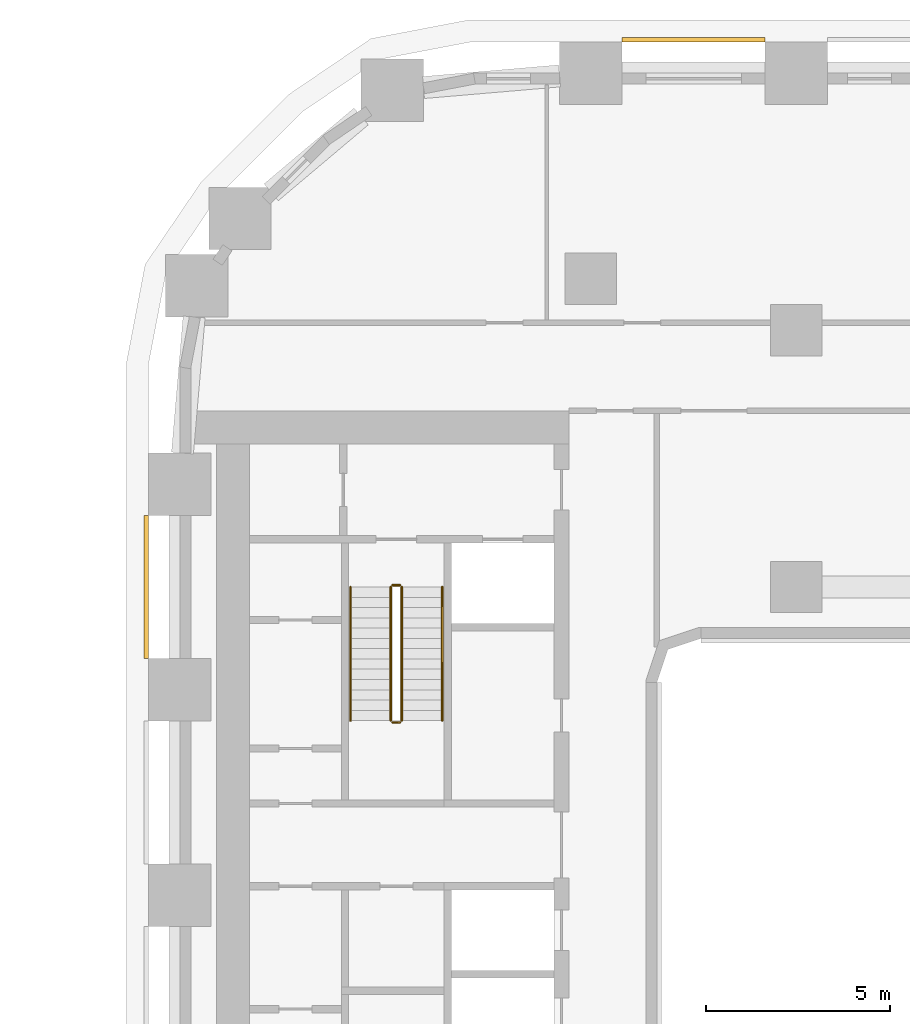
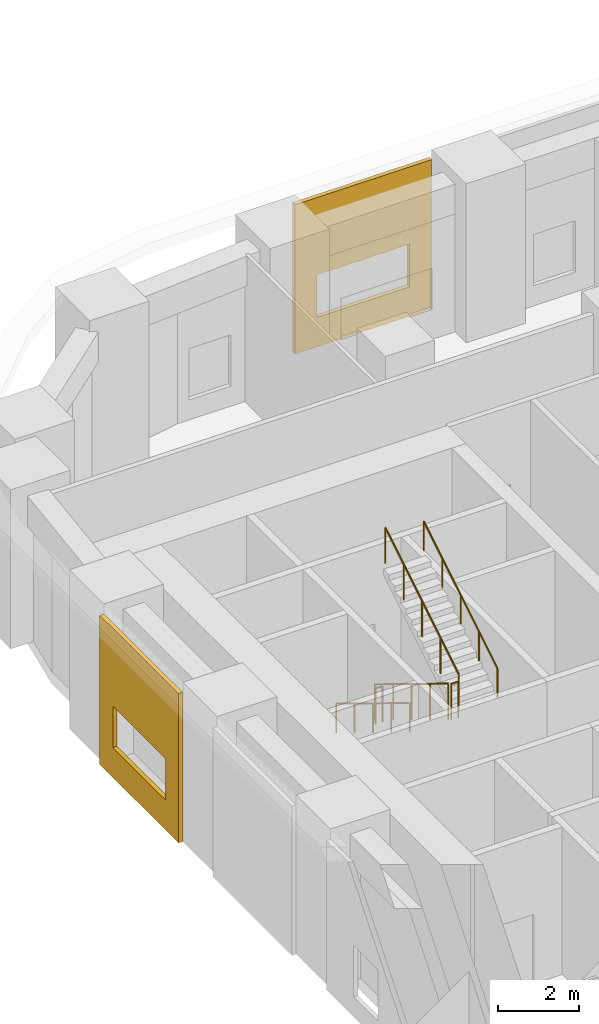
# One storey, part 21 of 24: 6 railings, 2 coverings.
"""IFC4 building model written with IfcOpenShell, lengths in metres."""

from ifc_helpers import new_model, si_unit, direction, frame, origin, origin_2d, place, context, subcontext, project, spatial, polyline, circle, outline, extrude, material, layer, layer_set, type_object, element, save


model = new_model("IFC4")

# Units and contexts
model_context = context("Model", 3, precision=1e-05, world=origin(), true_north=direction((0.0, 1.0)))
body_context = subcontext(model_context, "Body", "Model", "MODEL_VIEW")
ifc_project = project(units=[si_unit("LENGTHUNIT", "METRE"), si_unit("AREAUNIT", "SQUARE_METRE"), si_unit("VOLUMEUNIT", "CUBIC_METRE"), si_unit("PLANEANGLEUNIT", "RADIAN"), si_unit("MASSUNIT", "GRAM", prefix="KILO")], contexts=[model_context])

# Site, building, storey
site_placement = place(None, origin())
site = spatial("IfcSite", under=ifc_project, at=site_placement, CompositionType="ELEMENT")
building_placement = place(site_placement, origin())
building = spatial("IfcBuilding", under=site, at=building_placement, Name="Kiln Ring Residences", CompositionType="ELEMENT")
storey_placement = place(building_placement, frame((0.0, 0.0, 11.300048828125)))
storey = spatial("IfcBuildingStorey", under=building, at=storey_placement, Name="L02", CompositionType="ELEMENT", Elevation=11.300048828125)

# Railings
ifc_material_1 = material(Name="Stainless steel", Category="steel")
railing_type_1 = type_object("IfcRailingType", Name="CORE-STAIR-GUARD", PredefinedType="GUARDRAIL", material=ifc_material_1)
railing_1_placement = place(storey_placement, frame((-22.25, 8.39990234375, 0.17138671875)))
element("IfcRailing", 1, at=railing_1_placement, inside=storey, type_object=railing_type_1, Name="L02 W-STN stair guard 1", PredefinedType="GUARDRAIL", context=body_context, shape_type="SweptSolid", body=[
    extrude(circle(Radius=0.02392578125, at=origin_2d()), frame((0.0, 0.0, 1.076171875), z_axis=(0.0, -0.852850264322, 0.5221555579), x_axis=(1.0, 0.0, 0.0)), (0.0, 0.0, 1.0), 4.267822265625),
    extrude(circle(Radius=0.02099609375, at=origin_2d()), origin(), (0.0, 0.0, 1.0), 1.052001953125),
    extrude(circle(Radius=0.02099609375, at=origin_2d()), frame((0.0, -0.909912109375, 0.55712890625)), (0.0, 0.0, 1.0), 1.052001953125),
    extrude(circle(Radius=0.02099609375, at=origin_2d()), frame((0.0, -1.81982421875, 1.1142578125)), (0.0, 0.0, 1.0), 1.052001953125),
    extrude(circle(Radius=0.02099609375, at=origin_2d()), frame((0.0, -2.72998046875, 1.67138671875)), (0.0, 0.0, 1.0), 1.052001953125),
    extrude(circle(Radius=0.02099609375, at=origin_2d()), frame((0.0, -3.639892578125, 2.228515625)), (0.0, 0.0, 1.0), 1.052001953125),
])
railing_2_placement = place(storey_placement, frame((-22.199951171875, 4.7099609375, 2.39990234375)))
element("IfcRailing", 2, at=railing_2_placement, inside=storey, type_object=railing_type_1, Name="L02 W-STN stair guard 2", PredefinedType="GUARDRAIL", context=body_context, shape_type="SweptSolid", body=[
    extrude(circle(Radius=0.02392578125, at=origin_2d()), frame((0.0, 0.0, 1.076171875), z_axis=(1.0, 0.0, 0.0), x_axis=(0.0, 1.0, 0.0)), (0.0, 0.0, 1.0), 0.199951171875),
    extrude(circle(Radius=0.02099609375, at=origin_2d()), origin(), (0.0, 0.0, 1.0), 1.052001953125),
    extrude(circle(Radius=0.02099609375, at=origin_2d()), frame((0.199951171875, 0.0, 0.0)), (0.0, 0.0, 1.0), 1.052001953125),
])
railing_3_placement = place(storey_placement, frame((-21.949951171875, 4.760009765625, 2.5712890625)))
element("IfcRailing", 3, at=railing_3_placement, inside=storey, type_object=railing_type_1, Name="L02 W-STN stair guard 3", PredefinedType="GUARDRAIL", context=body_context, shape_type="SweptSolid", body=[
    extrude(circle(Radius=0.02392578125, at=origin_2d()), frame((0.0, 0.0, 1.076171875), z_axis=(0.0, 0.852824790078, 0.522197163366), x_axis=(-1.0, 0.0, 0.0)), (0.0, 0.0, 1.0), 4.26806640625),
    extrude(circle(Radius=0.02099609375, at=origin_2d()), origin(), (0.0, 0.0, 1.0), 1.052001953125),
    extrude(circle(Radius=0.02099609375, at=origin_2d()), frame((0.0, 0.909912109375, 0.55712890625)), (0.0, 0.0, 1.0), 1.052001953125),
    extrude(circle(Radius=0.02099609375, at=origin_2d()), frame((0.0, 1.81982421875, 1.1142578125)), (0.0, 0.0, 1.0), 1.052001953125),
    extrude(circle(Radius=0.02099609375, at=origin_2d()), frame((0.0, 2.72998046875, 1.671630859375)), (0.0, 0.0, 1.0), 1.052001953125),
    extrude(circle(Radius=0.02099609375, at=origin_2d()), frame((0.0, 3.639892578125, 2.228759765625)), (0.0, 0.0, 1.0), 1.052001953125),
])
railing_4_placement = place(storey_placement, frame((-22.199951171875, 8.449951171875, 0.0)))
element("IfcRailing", 4, at=railing_4_placement, inside=storey, type_object=railing_type_1, Name="L02 W-STN stair guard 4", PredefinedType="GUARDRAIL", context=body_context, shape_type="SweptSolid", body=[
    extrude(circle(Radius=0.02392578125, at=origin_2d()), frame((0.0, 0.0, 1.076171875), z_axis=(1.0, 0.0, 0.0), x_axis=(0.0, 1.0, 0.0)), (0.0, 0.0, 1.0), 0.199951171875),
    extrude(circle(Radius=0.02099609375, at=origin_2d()), origin(), (0.0, 0.0, 1.0), 1.052001953125),
    extrude(circle(Radius=0.02099609375, at=origin_2d()), frame((0.199951171875, 0.0, 0.0)), (0.0, 0.0, 1.0), 1.052001953125),
])
ifc_material_2 = material(Name="Stainless steel", Category="steel")
railing_type_2 = type_object("IfcRailingType", Name="CORE-STAIR-HANDRAIL", PredefinedType="HANDRAIL", material=ifc_material_2)
railing_5_placement = place(storey_placement, frame((-23.35009765625, 8.39990234375, 0.17138671875)))
element("IfcRailing", 5, at=railing_5_placement, inside=storey, type_object=railing_type_2, Name="L02 W-STN stair handrail 1", PredefinedType="HANDRAIL", context=body_context, shape_type="SweptSolid", body=[
    extrude(circle(Radius=0.02392578125, at=origin_2d()), frame((0.0, 0.0, 0.8759765625), z_axis=(0.0, -0.852850264322, 0.5221555579), x_axis=(1.0, 0.0, 0.0)), (0.0, 0.0, 1.0), 4.267822265625),
    extrude(circle(Radius=0.02099609375, at=origin_2d()), origin(), (0.0, 0.0, 1.0), 0.851806640625),
    extrude(circle(Radius=0.02099609375, at=origin_2d()), frame((0.0, -0.909912109375, 0.55712890625)), (0.0, 0.0, 1.0), 0.851806640625),
    extrude(circle(Radius=0.02099609375, at=origin_2d()), frame((0.0, -1.81982421875, 1.1142578125)), (0.0, 0.0, 1.0), 0.851806640625),
    extrude(circle(Radius=0.02099609375, at=origin_2d()), frame((0.0, -2.72998046875, 1.67138671875)), (0.0, 0.0, 1.0), 0.851806640625),
    extrude(circle(Radius=0.02099609375, at=origin_2d()), frame((0.0, -3.639892578125, 2.228515625)), (0.0, 0.0, 1.0), 0.851806640625),
])
railing_6_placement = place(storey_placement, frame((-20.85009765625, 4.760009765625, 2.5712890625)))
element("IfcRailing", 6, at=railing_6_placement, inside=storey, type_object=railing_type_2, Name="L02 W-STN stair handrail 2", PredefinedType="HANDRAIL", context=body_context, shape_type="SweptSolid", body=[
    extrude(circle(Radius=0.02392578125, at=origin_2d()), frame((0.0, 0.0, 0.8759765625), z_axis=(0.0, 0.852824790078, 0.522197163366), x_axis=(-1.0, 0.0, 0.0)), (0.0, 0.0, 1.0), 4.26806640625),
    extrude(circle(Radius=0.02099609375, at=origin_2d()), origin(), (0.0, 0.0, 1.0), 0.851806640625),
    extrude(circle(Radius=0.02099609375, at=origin_2d()), frame((0.0, 0.909912109375, 0.55712890625)), (0.0, 0.0, 1.0), 0.851806640625),
    extrude(circle(Radius=0.02099609375, at=origin_2d()), frame((0.0, 1.81982421875, 1.1142578125)), (0.0, 0.0, 1.0), 0.851806640625),
    extrude(circle(Radius=0.02099609375, at=origin_2d()), frame((0.0, 2.72998046875, 1.671630859375)), (0.0, 0.0, 1.0), 0.851806640625),
    extrude(circle(Radius=0.02099609375, at=origin_2d()), frame((0.0, 3.639892578125, 2.228759765625)), (0.0, 0.0, 1.0), 0.851806640625),
])

# Coverings
ifc_material_3 = material(Name="Brick masonry, dark clay brick", Category="masonry")
ifc_layer = layer(ifc_material_3, 0.1201171875)
ifc_layer_set = layer_set([ifc_layer], Name="RAINSCREEN PANEL 120")
covering_type = type_object("IfcCoveringType", Name="RAINSCREEN PANEL 120", PredefinedType="CLADDING", material=ifc_layer_set)
covering_1_placement = place(storey_placement, frame((-12.050048828125, 23.31005859375, 0.0), z_axis=(0.0, 0.0, 1.0), x_axis=(-1.0, 0.0, 0.0)))
element("IfcCovering", 7, at=covering_1_placement, inside=storey, type_object=covering_type, Name="RAINSCREEN L02", PredefinedType="CLADDING", context=body_context, shape_type="SweptSolid", body=[
    extrude(outline(polyline([(0.0, 0.0), (3.89990234375, 0.0), (3.89990234375, 4.5), (0.0, 4.5), (0.0, 0.0)]), holes=[polyline([(0.6298828125, 2.169921875), (0.6298828125, 0.8798828125), (3.27001953125, 0.8798828125), (3.27001953125, 2.169921875), (0.6298828125, 2.169921875)])]), frame((0.0, 0.06005859375, 0.0), z_axis=(0.0, -1.0, 0.0), x_axis=(1.0, 0.0, 0.0)), (0.0, 0.0, 1.0), 0.1201171875),
])
covering_2_placement = place(storey_placement, frame((-28.909912109375, 10.35009765625, 0.0), z_axis=(0.0, 0.0, 1.0), x_axis=(0.0, -1.0, 0.0)))
element("IfcCovering", 8, at=covering_2_placement, inside=storey, type_object=covering_type, Name="RAINSCREEN L02", PredefinedType="CLADDING", context=body_context, shape_type="SweptSolid", body=[
    extrude(outline(polyline([(0.0, 0.0), (3.89990234375, 0.0), (3.89990234375, 4.5), (0.0, 4.5), (0.0, 0.0)]), holes=[polyline([(0.64990234375, 2.14990234375), (0.64990234375, 0.89990234375), (3.25, 0.89990234375), (3.25, 2.14990234375), (0.64990234375, 2.14990234375)])]), frame((0.0, 0.06005859375, 0.0), z_axis=(0.0, -1.0, 0.0), x_axis=(1.0, 0.0, 0.0)), (0.0, 0.0, 1.0), 0.1201171875),
])

save(model, "model.ifc")
